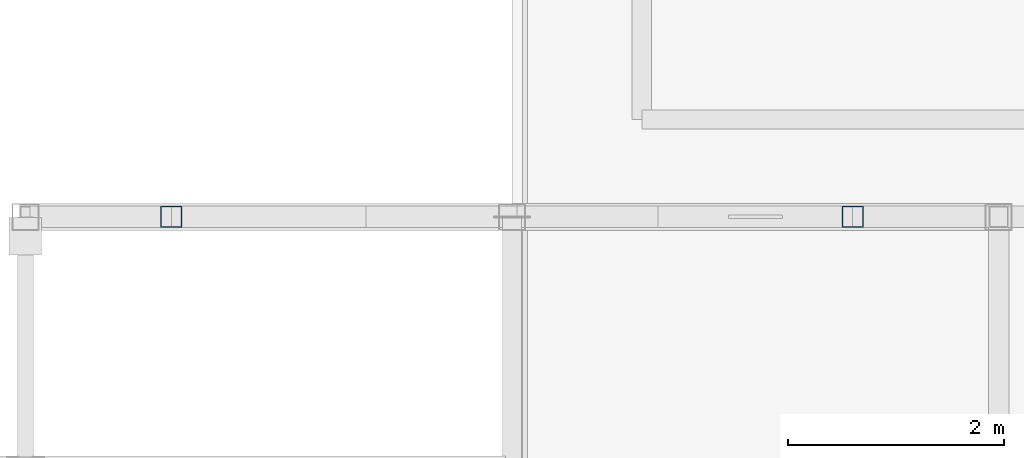
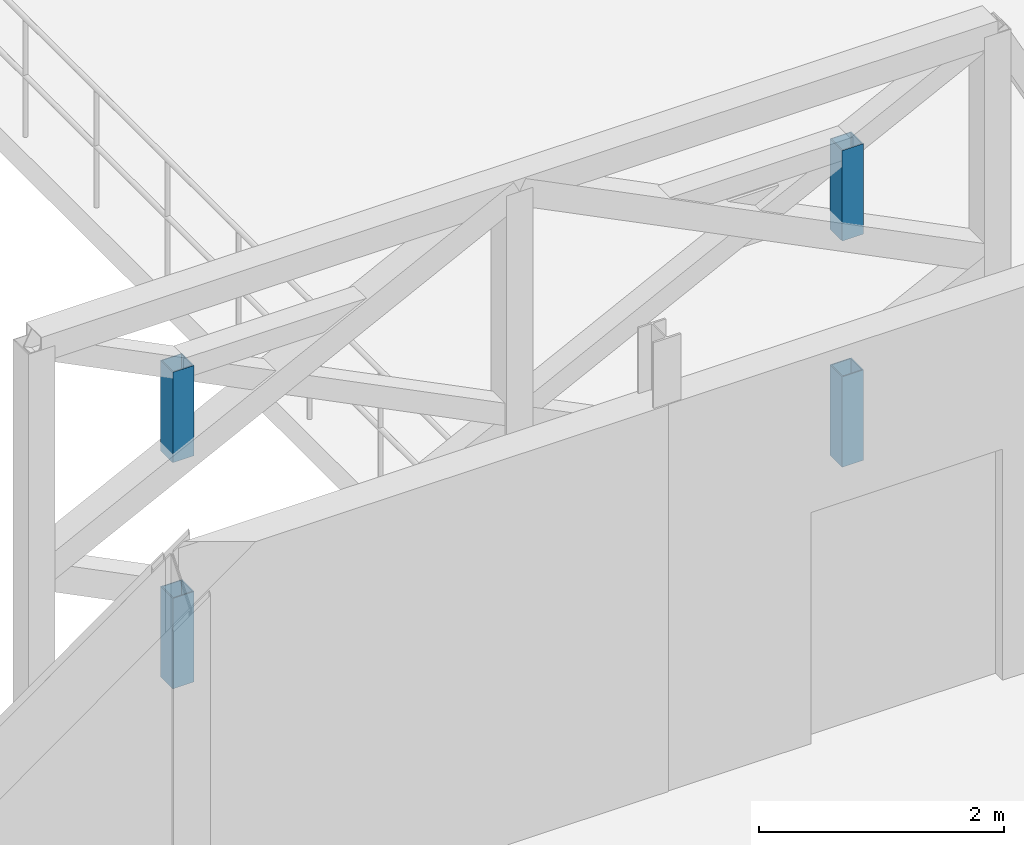
# One storey, part 35 of 89: 4 members.
"""IFC4 building model written with IfcOpenShell, lengths in metres."""

from ifc_helpers import new_model, si_unit, direction, frame, origin, origin_2d, place, context, subcontext, project, spatial, hollow_rectangle, extrude, material, material_profile, profile_set, type_object, element, save


model = new_model("IFC4")

# Units and contexts
model_context = context("Model", 3, precision=1e-05, world=origin(), true_north=direction((0.0, 1.0)))
body_context = subcontext(model_context, "Body", "Model", "MODEL_VIEW")
ifc_project = project(units=[si_unit("LENGTHUNIT", "METRE"), si_unit("AREAUNIT", "SQUARE_METRE"), si_unit("VOLUMEUNIT", "CUBIC_METRE"), si_unit("PLANEANGLEUNIT", "RADIAN"), si_unit("MASSUNIT", "GRAM", prefix="KILO"), si_unit("THERMODYNAMICTEMPERATUREUNIT", "KELVIN"), si_unit("POWERUNIT", "WATT")], contexts=[model_context])

# Site, building, storey
site_placement = place(None, origin())
site = spatial("IfcSite", under=ifc_project, at=site_placement, CompositionType="ELEMENT")
building_placement = place(site_placement, origin())
building = spatial("IfcBuilding", under=site, at=building_placement, Name="Tallowbark Science Centre", CompositionType="ELEMENT")
storey_placement = place(building_placement, frame((0.0, 0.0, 14.39990234375)))
storey = spatial("IfcBuildingStorey", under=building, at=storey_placement, Name="L03", CompositionType="ELEMENT", Elevation=14.39990234375)

# Members
ifc_material = material(Name="White Architectural Painted Steel Grade C350L0 (350 MPa)", Category="steel")
ifc_material_profile = material_profile(ifc_material, hollow_rectangle(XDim=0.199951171875, YDim=0.199951171875, WallThickness=0.009033203125, at=origin_2d()), Name="200x200x9.0SHS")
ifc_profile_set = profile_set([ifc_material_profile], Name="White Architectural Painted Steel Grade C350L0 (350 MPa)")
member_type = type_object("IfcMemberType", Name="SCR-SUB150", PredefinedType="BRACE", material=ifc_profile_set)
for number, where, z_axis, x_axis, name in (
    (1, (95.85009765625, 42.89990234375, 0.675048828125), (0.0, 0.0, 1.0), (1.0, 0.0, 0.0), "Star Screen Octagram Point Ray N-27-2"),
    (2, (102.14990234375, 42.89990234375, 0.675048828125), (0.0, 0.0, 1.0), (1.0, 0.0, 0.0), "Star Screen Octagram Point Ray N-27-4"),
    (3, (102.14990234375, 42.89990234375, 3.8251953125), (0.0, 0.0, -1.0), (1.0, 0.0, 0.0), "Star Screen Octagram Point Ray N-27-6"),
    (4, (95.85009765625, 42.89990234375, 3.8251953125), (0.0, 0.0, -1.0), (1.0, 0.0, 0.0), "Star Screen Octagram Point Ray N-27-8"),
):
    element("IfcMember", number, at=place(storey_placement, frame(where, z_axis=z_axis, x_axis=x_axis)), inside=storey, type_object=member_type, Name=name, PredefinedType="BRACE", context=body_context, shape_type="SweptSolid", body=[
        extrude(hollow_rectangle(XDim=0.199951171875, YDim=0.199951171875, WallThickness=0.009033203125, at=origin_2d()), origin(), (0.0, 0.0, 1.0), 0.900146484375),
    ])

save(model, "model.ifc")
